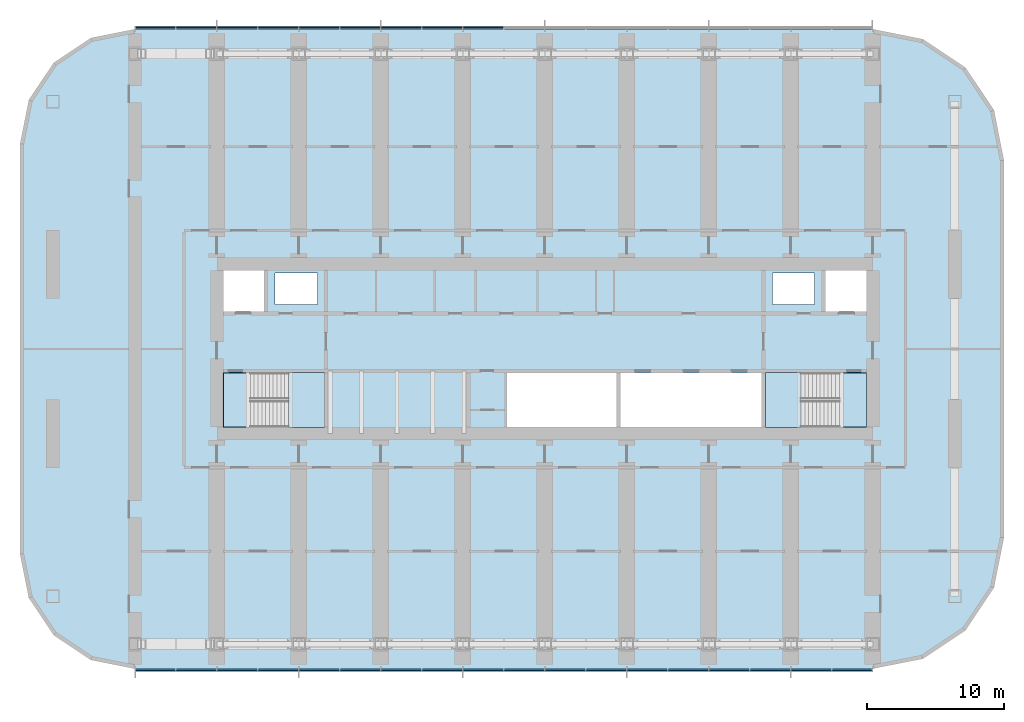
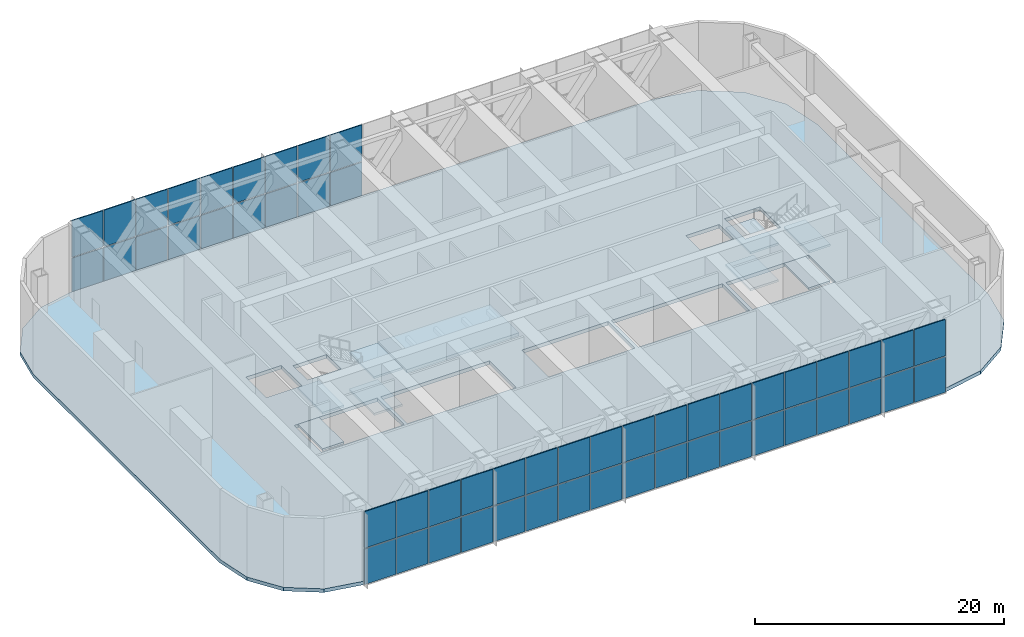
# One storey, part 6 of 22: 54 plates, 10 slabs, 4 elements without a shape of their own.
"""IFC4 building model written with IfcOpenShell, lengths in metres."""

from ifc_helpers import new_model, si_unit, direction, frame, origin, origin_2d, place, context, subcontext, project, spatial, polyline, rectangle, outline, extrude, material, layer, layer_set, type_object, element, aggregate, save


model = new_model("IFC4")

# Units and contexts
model_context = context("Model", 3, precision=1e-05, world=origin(), true_north=direction((0.0, 1.0)))
body_context = subcontext(model_context, "Body", "Model", "MODEL_VIEW")
ifc_project = project(units=[si_unit("LENGTHUNIT", "METRE"), si_unit("AREAUNIT", "SQUARE_METRE"), si_unit("VOLUMEUNIT", "CUBIC_METRE"), si_unit("PLANEANGLEUNIT", "RADIAN"), si_unit("MASSUNIT", "GRAM", prefix="KILO")], contexts=[model_context])

# Site, building, storey
site_placement = place(None, origin())
site = spatial("IfcSite", under=ifc_project, at=site_placement, CompositionType="ELEMENT")
building_placement = place(site_placement, origin())
building = spatial("IfcBuilding", under=site, at=building_placement, Name="Orbita Commons", CompositionType="ELEMENT")
storey_placement = place(building_placement, frame((0.0, 0.0, 133.14990234375)))
storey = spatial("IfcBuildingStorey", under=building, at=storey_placement, Name="L33", CompositionType="ELEMENT", Elevation=133.14990234375)

# Curtain wall, plates
ifc_material_1 = material(Name="Anodised aluminium frame, pale silver", Category="aluminium")
curtain_wall_type = type_object("IfcCurtainWallType", Name="Louvred curtain wall CW-V", PredefinedType="NOTDEFINED", material=ifc_material_1)
curtain_wall_1_placement = place(storey_placement, origin())
curtain_wall_1 = element("IfcCurtainWall", 1, at=curtain_wall_1_placement, inside=storey, type_object=curtain_wall_type, Name="Curtain wall south L33", PredefinedType="NOTDEFINED")
ifc_material_2 = material(Name="Anodised aluminium louvre", Category="aluminium")
ifc_layer_1 = layer(ifc_material_2, 0.10009765625)
ifc_layer_set_1 = layer_set([ifc_layer_1], Name="Anodised aluminium louvre")
plate_type = type_object("IfcPlateType", Name="Aluminium louvre panel 100", PredefinedType="CURTAIN_PANEL", material=ifc_layer_set_1)
plate_1_placement = place(storey_placement, frame((13.52001953125, 8.489990234375, -0.25), z_axis=(0.0, 0.0, 1.0), x_axis=(1.0, 0.0, 0.0)))
plate_1 = element("IfcPlate", 2, at=plate_1_placement, type_object=plate_type, Name="Panel 1.1 CW-L33-S", PredefinedType="CURTAIN_PANEL", context=body_context, shape_type="SweptSolid", body=[
    extrude(rectangle(XDim=2.8798828125, YDim=0.10009765625, at=origin_2d()), origin(), (0.0, 0.0, 1.0), 3.47509765625),
])
plate_2_placement = place(storey_placement, frame((13.52001953125, 8.489990234375, 3.3251953125), z_axis=(0.0, 0.0, 1.0), x_axis=(1.0, 0.0, 0.0)))
plate_2 = element("IfcPlate", 3, at=plate_2_placement, type_object=plate_type, Name="Panel 1.2 CW-L33-S", PredefinedType="CURTAIN_PANEL", context=body_context, shape_type="SweptSolid", body=[
    extrude(rectangle(XDim=2.8798828125, YDim=0.10009765625, at=origin_2d()), origin(), (0.0, 0.0, 1.0), 3.574951171875),
])
plate_3_placement = place(storey_placement, frame((16.5, 8.489990234375, -0.25), z_axis=(0.0, 0.0, 1.0), x_axis=(1.0, 0.0, 0.0)))
plate_3 = element("IfcPlate", 4, at=plate_3_placement, type_object=plate_type, Name="Panel 2.1 CW-L33-S", PredefinedType="CURTAIN_PANEL", context=body_context, shape_type="SweptSolid", body=[
    extrude(rectangle(XDim=2.919921875, YDim=0.10009765625, at=origin_2d()), origin(), (0.0, 0.0, 1.0), 3.47509765625),
])
plate_4_placement = place(storey_placement, frame((16.5, 8.489990234375, 3.3251953125), z_axis=(0.0, 0.0, 1.0), x_axis=(1.0, 0.0, 0.0)))
plate_4 = element("IfcPlate", 5, at=plate_4_placement, type_object=plate_type, Name="Panel 2.2 CW-L33-S", PredefinedType="CURTAIN_PANEL", context=body_context, shape_type="SweptSolid", body=[
    extrude(rectangle(XDim=2.919921875, YDim=0.10009765625, at=origin_2d()), origin(), (0.0, 0.0, 1.0), 3.574951171875),
])
plate_5_placement = place(storey_placement, frame((19.5, 8.489990234375, -0.25), z_axis=(0.0, 0.0, 1.0), x_axis=(1.0, 0.0, 0.0)))
plate_5 = element("IfcPlate", 6, at=plate_5_placement, type_object=plate_type, Name="Panel 3.1 CW-L33-S", PredefinedType="CURTAIN_PANEL", context=body_context, shape_type="SweptSolid", body=[
    extrude(rectangle(XDim=2.919921875, YDim=0.10009765625, at=origin_2d()), origin(), (0.0, 0.0, 1.0), 3.47509765625),
])
plate_6_placement = place(storey_placement, frame((19.5, 8.489990234375, 3.3251953125), z_axis=(0.0, 0.0, 1.0), x_axis=(1.0, 0.0, 0.0)))
plate_6 = element("IfcPlate", 7, at=plate_6_placement, type_object=plate_type, Name="Panel 3.2 CW-L33-S", PredefinedType="CURTAIN_PANEL", context=body_context, shape_type="SweptSolid", body=[
    extrude(rectangle(XDim=2.919921875, YDim=0.10009765625, at=origin_2d()), origin(), (0.0, 0.0, 1.0), 3.574951171875),
])
plate_7_placement = place(storey_placement, frame((22.5, 8.489990234375, -0.25), z_axis=(0.0, 0.0, 1.0), x_axis=(1.0, 0.0, 0.0)))
plate_7 = element("IfcPlate", 8, at=plate_7_placement, type_object=plate_type, Name="Panel 4.1 CW-L33-S", PredefinedType="CURTAIN_PANEL", context=body_context, shape_type="SweptSolid", body=[
    extrude(rectangle(XDim=2.919921875, YDim=0.10009765625, at=origin_2d()), origin(), (0.0, 0.0, 1.0), 3.47509765625),
])
plate_8_placement = place(storey_placement, frame((22.5, 8.489990234375, 3.3251953125), z_axis=(0.0, 0.0, 1.0), x_axis=(1.0, 0.0, 0.0)))
plate_8 = element("IfcPlate", 9, at=plate_8_placement, type_object=plate_type, Name="Panel 4.2 CW-L33-S", PredefinedType="CURTAIN_PANEL", context=body_context, shape_type="SweptSolid", body=[
    extrude(rectangle(XDim=2.919921875, YDim=0.10009765625, at=origin_2d()), origin(), (0.0, 0.0, 1.0), 3.574951171875),
])
plate_9_placement = place(storey_placement, frame((25.5, 8.489990234375, -0.25), z_axis=(0.0, 0.0, 1.0), x_axis=(1.0, 0.0, 0.0)))
plate_9 = element("IfcPlate", 10, at=plate_9_placement, type_object=plate_type, Name="Panel 5.1 CW-L33-S", PredefinedType="CURTAIN_PANEL", context=body_context, shape_type="SweptSolid", body=[
    extrude(rectangle(XDim=2.919921875, YDim=0.10009765625, at=origin_2d()), origin(), (0.0, 0.0, 1.0), 3.47509765625),
])
plate_10_placement = place(storey_placement, frame((25.5, 8.489990234375, 3.3251953125), z_axis=(0.0, 0.0, 1.0), x_axis=(1.0, 0.0, 0.0)))
plate_10 = element("IfcPlate", 11, at=plate_10_placement, type_object=plate_type, Name="Panel 5.2 CW-L33-S", PredefinedType="CURTAIN_PANEL", context=body_context, shape_type="SweptSolid", body=[
    extrude(rectangle(XDim=2.919921875, YDim=0.10009765625, at=origin_2d()), origin(), (0.0, 0.0, 1.0), 3.574951171875),
])
plate_11_placement = place(storey_placement, frame((28.5, 8.489990234375, -0.25), z_axis=(0.0, 0.0, 1.0), x_axis=(1.0, 0.0, 0.0)))
plate_11 = element("IfcPlate", 12, at=plate_11_placement, type_object=plate_type, Name="Panel 6.1 CW-L33-S", PredefinedType="CURTAIN_PANEL", context=body_context, shape_type="SweptSolid", body=[
    extrude(rectangle(XDim=2.919921875, YDim=0.10009765625, at=origin_2d()), origin(), (0.0, 0.0, 1.0), 3.47509765625),
])
plate_12_placement = place(storey_placement, frame((28.5, 8.489990234375, 3.3251953125), z_axis=(0.0, 0.0, 1.0), x_axis=(1.0, 0.0, 0.0)))
plate_12 = element("IfcPlate", 13, at=plate_12_placement, type_object=plate_type, Name="Panel 6.2 CW-L33-S", PredefinedType="CURTAIN_PANEL", context=body_context, shape_type="SweptSolid", body=[
    extrude(rectangle(XDim=2.919921875, YDim=0.10009765625, at=origin_2d()), origin(), (0.0, 0.0, 1.0), 3.574951171875),
])
plate_13_placement = place(storey_placement, frame((31.5, 8.489990234375, -0.25), z_axis=(0.0, 0.0, 1.0), x_axis=(1.0, 0.0, 0.0)))
plate_13 = element("IfcPlate", 14, at=plate_13_placement, type_object=plate_type, Name="Panel 7.1 CW-L33-S", PredefinedType="CURTAIN_PANEL", context=body_context, shape_type="SweptSolid", body=[
    extrude(rectangle(XDim=2.919921875, YDim=0.10009765625, at=origin_2d()), origin(), (0.0, 0.0, 1.0), 3.47509765625),
])
plate_14_placement = place(storey_placement, frame((31.5, 8.489990234375, 3.3251953125), z_axis=(0.0, 0.0, 1.0), x_axis=(1.0, 0.0, 0.0)))
plate_14 = element("IfcPlate", 15, at=plate_14_placement, type_object=plate_type, Name="Panel 7.2 CW-L33-S", PredefinedType="CURTAIN_PANEL", context=body_context, shape_type="SweptSolid", body=[
    extrude(rectangle(XDim=2.919921875, YDim=0.10009765625, at=origin_2d()), origin(), (0.0, 0.0, 1.0), 3.574951171875),
])
plate_15_placement = place(storey_placement, frame((34.5, 8.489990234375, -0.25), z_axis=(0.0, 0.0, 1.0), x_axis=(1.0, 0.0, 0.0)))
plate_15 = element("IfcPlate", 16, at=plate_15_placement, type_object=plate_type, Name="Panel 8.1 CW-L33-S", PredefinedType="CURTAIN_PANEL", context=body_context, shape_type="SweptSolid", body=[
    extrude(rectangle(XDim=2.919921875, YDim=0.10009765625, at=origin_2d()), origin(), (0.0, 0.0, 1.0), 3.47509765625),
])
plate_16_placement = place(storey_placement, frame((34.5, 8.489990234375, 3.3251953125), z_axis=(0.0, 0.0, 1.0), x_axis=(1.0, 0.0, 0.0)))
plate_16 = element("IfcPlate", 17, at=plate_16_placement, type_object=plate_type, Name="Panel 8.2 CW-L33-S", PredefinedType="CURTAIN_PANEL", context=body_context, shape_type="SweptSolid", body=[
    extrude(rectangle(XDim=2.919921875, YDim=0.10009765625, at=origin_2d()), origin(), (0.0, 0.0, 1.0), 3.574951171875),
])
plate_17_placement = place(storey_placement, frame((37.5, 8.489990234375, -0.25), z_axis=(0.0, 0.0, 1.0), x_axis=(1.0, 0.0, 0.0)))
plate_17 = element("IfcPlate", 18, at=plate_17_placement, type_object=plate_type, Name="Panel 9.1 CW-L33-S", PredefinedType="CURTAIN_PANEL", context=body_context, shape_type="SweptSolid", body=[
    extrude(rectangle(XDim=2.919921875, YDim=0.10009765625, at=origin_2d()), origin(), (0.0, 0.0, 1.0), 3.47509765625),
])
plate_18_placement = place(storey_placement, frame((37.5, 8.489990234375, 3.3251953125), z_axis=(0.0, 0.0, 1.0), x_axis=(1.0, 0.0, 0.0)))
plate_18 = element("IfcPlate", 19, at=plate_18_placement, type_object=plate_type, Name="Panel 9.2 CW-L33-S", PredefinedType="CURTAIN_PANEL", context=body_context, shape_type="SweptSolid", body=[
    extrude(rectangle(XDim=2.919921875, YDim=0.10009765625, at=origin_2d()), origin(), (0.0, 0.0, 1.0), 3.574951171875),
])
plate_19_placement = place(storey_placement, frame((40.5, 8.489990234375, -0.25), z_axis=(0.0, 0.0, 1.0), x_axis=(1.0, 0.0, 0.0)))
plate_19 = element("IfcPlate", 20, at=plate_19_placement, type_object=plate_type, Name="Panel 10.1 CW-L33-S", PredefinedType="CURTAIN_PANEL", context=body_context, shape_type="SweptSolid", body=[
    extrude(rectangle(XDim=2.919921875, YDim=0.10009765625, at=origin_2d()), origin(), (0.0, 0.0, 1.0), 3.47509765625),
])
plate_20_placement = place(storey_placement, frame((40.5, 8.489990234375, 3.3251953125), z_axis=(0.0, 0.0, 1.0), x_axis=(1.0, 0.0, 0.0)))
plate_20 = element("IfcPlate", 21, at=plate_20_placement, type_object=plate_type, Name="Panel 10.2 CW-L33-S", PredefinedType="CURTAIN_PANEL", context=body_context, shape_type="SweptSolid", body=[
    extrude(rectangle(XDim=2.919921875, YDim=0.10009765625, at=origin_2d()), origin(), (0.0, 0.0, 1.0), 3.574951171875),
])
plate_21_placement = place(storey_placement, frame((43.5, 8.489990234375, -0.25), z_axis=(0.0, 0.0, 1.0), x_axis=(1.0, 0.0, 0.0)))
plate_21 = element("IfcPlate", 22, at=plate_21_placement, type_object=plate_type, Name="Panel 11.1 CW-L33-S", PredefinedType="CURTAIN_PANEL", context=body_context, shape_type="SweptSolid", body=[
    extrude(rectangle(XDim=2.919921875, YDim=0.10009765625, at=origin_2d()), origin(), (0.0, 0.0, 1.0), 3.47509765625),
])
plate_22_placement = place(storey_placement, frame((43.5, 8.489990234375, 3.3251953125), z_axis=(0.0, 0.0, 1.0), x_axis=(1.0, 0.0, 0.0)))
plate_22 = element("IfcPlate", 23, at=plate_22_placement, type_object=plate_type, Name="Panel 11.2 CW-L33-S", PredefinedType="CURTAIN_PANEL", context=body_context, shape_type="SweptSolid", body=[
    extrude(rectangle(XDim=2.919921875, YDim=0.10009765625, at=origin_2d()), origin(), (0.0, 0.0, 1.0), 3.574951171875),
])
plate_23_placement = place(storey_placement, frame((46.5, 8.489990234375, -0.25), z_axis=(0.0, 0.0, 1.0), x_axis=(1.0, 0.0, 0.0)))
plate_23 = element("IfcPlate", 24, at=plate_23_placement, type_object=plate_type, Name="Panel 12.1 CW-L33-S", PredefinedType="CURTAIN_PANEL", context=body_context, shape_type="SweptSolid", body=[
    extrude(rectangle(XDim=2.919921875, YDim=0.10009765625, at=origin_2d()), origin(), (0.0, 0.0, 1.0), 3.47509765625),
])
plate_24_placement = place(storey_placement, frame((46.5, 8.489990234375, 3.3251953125), z_axis=(0.0, 0.0, 1.0), x_axis=(1.0, 0.0, 0.0)))
plate_24 = element("IfcPlate", 25, at=plate_24_placement, type_object=plate_type, Name="Panel 12.2 CW-L33-S", PredefinedType="CURTAIN_PANEL", context=body_context, shape_type="SweptSolid", body=[
    extrude(rectangle(XDim=2.919921875, YDim=0.10009765625, at=origin_2d()), origin(), (0.0, 0.0, 1.0), 3.574951171875),
])
plate_25_placement = place(storey_placement, frame((49.5, 8.489990234375, -0.25), z_axis=(0.0, 0.0, 1.0), x_axis=(1.0, 0.0, 0.0)))
plate_25 = element("IfcPlate", 26, at=plate_25_placement, type_object=plate_type, Name="Panel 13.1 CW-L33-S", PredefinedType="CURTAIN_PANEL", context=body_context, shape_type="SweptSolid", body=[
    extrude(rectangle(XDim=2.919921875, YDim=0.10009765625, at=origin_2d()), origin(), (0.0, 0.0, 1.0), 3.47509765625),
])
plate_26_placement = place(storey_placement, frame((49.5, 8.489990234375, 3.3251953125), z_axis=(0.0, 0.0, 1.0), x_axis=(1.0, 0.0, 0.0)))
plate_26 = element("IfcPlate", 27, at=plate_26_placement, type_object=plate_type, Name="Panel 13.2 CW-L33-S", PredefinedType="CURTAIN_PANEL", context=body_context, shape_type="SweptSolid", body=[
    extrude(rectangle(XDim=2.919921875, YDim=0.10009765625, at=origin_2d()), origin(), (0.0, 0.0, 1.0), 3.574951171875),
])
plate_27_placement = place(storey_placement, frame((52.5, 8.489990234375, -0.25), z_axis=(0.0, 0.0, 1.0), x_axis=(1.0, 0.0, 0.0)))
plate_27 = element("IfcPlate", 28, at=plate_27_placement, type_object=plate_type, Name="Panel 14.1 CW-L33-S", PredefinedType="CURTAIN_PANEL", context=body_context, shape_type="SweptSolid", body=[
    extrude(rectangle(XDim=2.919921875, YDim=0.10009765625, at=origin_2d()), origin(), (0.0, 0.0, 1.0), 3.47509765625),
])
plate_28_placement = place(storey_placement, frame((52.5, 8.489990234375, 3.3251953125), z_axis=(0.0, 0.0, 1.0), x_axis=(1.0, 0.0, 0.0)))
plate_28 = element("IfcPlate", 29, at=plate_28_placement, type_object=plate_type, Name="Panel 14.2 CW-L33-S", PredefinedType="CURTAIN_PANEL", context=body_context, shape_type="SweptSolid", body=[
    extrude(rectangle(XDim=2.919921875, YDim=0.10009765625, at=origin_2d()), origin(), (0.0, 0.0, 1.0), 3.574951171875),
])
plate_29_placement = place(storey_placement, frame((55.5, 8.489990234375, -0.25), z_axis=(0.0, 0.0, 1.0), x_axis=(1.0, 0.0, 0.0)))
plate_29 = element("IfcPlate", 30, at=plate_29_placement, type_object=plate_type, Name="Panel 15.1 CW-L33-S", PredefinedType="CURTAIN_PANEL", context=body_context, shape_type="SweptSolid", body=[
    extrude(rectangle(XDim=2.919921875, YDim=0.10009765625, at=origin_2d()), origin(), (0.0, 0.0, 1.0), 3.47509765625),
])
plate_30_placement = place(storey_placement, frame((55.5, 8.489990234375, 3.3251953125), z_axis=(0.0, 0.0, 1.0), x_axis=(1.0, 0.0, 0.0)))
plate_30 = element("IfcPlate", 31, at=plate_30_placement, type_object=plate_type, Name="Panel 15.2 CW-L33-S", PredefinedType="CURTAIN_PANEL", context=body_context, shape_type="SweptSolid", body=[
    extrude(rectangle(XDim=2.919921875, YDim=0.10009765625, at=origin_2d()), origin(), (0.0, 0.0, 1.0), 3.574951171875),
])
plate_31_placement = place(storey_placement, frame((58.5, 8.489990234375, -0.25), z_axis=(0.0, 0.0, 1.0), x_axis=(1.0, 0.0, 0.0)))
plate_31 = element("IfcPlate", 32, at=plate_31_placement, type_object=plate_type, Name="Panel 16.1 CW-L33-S", PredefinedType="CURTAIN_PANEL", context=body_context, shape_type="SweptSolid", body=[
    extrude(rectangle(XDim=2.919921875, YDim=0.10009765625, at=origin_2d()), origin(), (0.0, 0.0, 1.0), 3.47509765625),
])
plate_32_placement = place(storey_placement, frame((58.5, 8.489990234375, 3.3251953125), z_axis=(0.0, 0.0, 1.0), x_axis=(1.0, 0.0, 0.0)))
plate_32 = element("IfcPlate", 33, at=plate_32_placement, type_object=plate_type, Name="Panel 16.2 CW-L33-S", PredefinedType="CURTAIN_PANEL", context=body_context, shape_type="SweptSolid", body=[
    extrude(rectangle(XDim=2.919921875, YDim=0.10009765625, at=origin_2d()), origin(), (0.0, 0.0, 1.0), 3.574951171875),
])
plate_33_placement = place(storey_placement, frame((61.5, 8.489990234375, -0.25), z_axis=(0.0, 0.0, 1.0), x_axis=(1.0, 0.0, 0.0)))
plate_33 = element("IfcPlate", 34, at=plate_33_placement, type_object=plate_type, Name="Panel 17.1 CW-L33-S", PredefinedType="CURTAIN_PANEL", context=body_context, shape_type="SweptSolid", body=[
    extrude(rectangle(XDim=2.919921875, YDim=0.10009765625, at=origin_2d()), origin(), (0.0, 0.0, 1.0), 3.47509765625),
])
plate_34_placement = place(storey_placement, frame((61.5, 8.489990234375, 3.3251953125), z_axis=(0.0, 0.0, 1.0), x_axis=(1.0, 0.0, 0.0)))
plate_34 = element("IfcPlate", 35, at=plate_34_placement, type_object=plate_type, Name="Panel 17.2 CW-L33-S", PredefinedType="CURTAIN_PANEL", context=body_context, shape_type="SweptSolid", body=[
    extrude(rectangle(XDim=2.919921875, YDim=0.10009765625, at=origin_2d()), origin(), (0.0, 0.0, 1.0), 3.574951171875),
])
plate_35_placement = place(storey_placement, frame((64.47998046875, 8.489990234375, -0.25), z_axis=(0.0, 0.0, 1.0), x_axis=(1.0, 0.0, 0.0)))
plate_35 = element("IfcPlate", 36, at=plate_35_placement, type_object=plate_type, Name="Panel 18.1 CW-L33-S", PredefinedType="CURTAIN_PANEL", context=body_context, shape_type="SweptSolid", body=[
    extrude(rectangle(XDim=2.8798828125, YDim=0.10009765625, at=origin_2d()), origin(), (0.0, 0.0, 1.0), 3.47509765625),
])
plate_36_placement = place(storey_placement, frame((64.47998046875, 8.489990234375, 3.3251953125), z_axis=(0.0, 0.0, 1.0), x_axis=(1.0, 0.0, 0.0)))
plate_36 = element("IfcPlate", 37, at=plate_36_placement, type_object=plate_type, Name="Panel 18.2 CW-L33-S", PredefinedType="CURTAIN_PANEL", context=body_context, shape_type="SweptSolid", body=[
    extrude(rectangle(XDim=2.8798828125, YDim=0.10009765625, at=origin_2d()), origin(), (0.0, 0.0, 1.0), 3.574951171875),
])
aggregate(curtain_wall_1, [plate_1, plate_2, plate_3, plate_4, plate_5, plate_6, plate_7, plate_8, plate_9, plate_10, plate_11, plate_12, plate_13, plate_14, plate_15, plate_16, plate_17, plate_18, plate_19, plate_20, plate_21, plate_22, plate_23, plate_24, plate_25, plate_26, plate_27, plate_28, plate_29, plate_30, plate_31, plate_32, plate_33, plate_34, plate_35, plate_36])

curtain_wall_2_placement = place(storey_placement, origin())
curtain_wall_2 = element("IfcCurtainWall", 38, at=curtain_wall_2_placement, inside=storey, type_object=curtain_wall_type, Name="Curtain wall north L33", PredefinedType="NOTDEFINED")
plate_37_placement = place(storey_placement, frame((37.5, 55.510009765625, -0.25), z_axis=(0.0, 0.0, 1.0), x_axis=(-1.0, 0.0, 0.0)))
plate_37 = element("IfcPlate", 39, at=plate_37_placement, type_object=plate_type, Name="Panel 10.1 CW-L33-N", PredefinedType="CURTAIN_PANEL", context=body_context, shape_type="SweptSolid", body=[
    extrude(rectangle(XDim=2.919921875, YDim=0.10009765625, at=origin_2d()), origin(), (0.0, 0.0, 1.0), 3.47509765625),
])
plate_38_placement = place(storey_placement, frame((37.5, 55.510009765625, 3.3251953125), z_axis=(0.0, 0.0, 1.0), x_axis=(-1.0, 0.0, 0.0)))
plate_38 = element("IfcPlate", 40, at=plate_38_placement, type_object=plate_type, Name="Panel 10.2 CW-L33-N", PredefinedType="CURTAIN_PANEL", context=body_context, shape_type="SweptSolid", body=[
    extrude(rectangle(XDim=2.919921875, YDim=0.10009765625, at=origin_2d()), origin(), (0.0, 0.0, 1.0), 3.574951171875),
])
plate_39_placement = place(storey_placement, frame((34.5, 55.510009765625, -0.25), z_axis=(0.0, 0.0, 1.0), x_axis=(-1.0, 0.0, 0.0)))
plate_39 = element("IfcPlate", 41, at=plate_39_placement, type_object=plate_type, Name="Panel 11.1 CW-L33-N", PredefinedType="CURTAIN_PANEL", context=body_context, shape_type="SweptSolid", body=[
    extrude(rectangle(XDim=2.919921875, YDim=0.10009765625, at=origin_2d()), origin(), (0.0, 0.0, 1.0), 3.47509765625),
])
plate_40_placement = place(storey_placement, frame((34.5, 55.510009765625, 3.3251953125), z_axis=(0.0, 0.0, 1.0), x_axis=(-1.0, 0.0, 0.0)))
plate_40 = element("IfcPlate", 42, at=plate_40_placement, type_object=plate_type, Name="Panel 11.2 CW-L33-N", PredefinedType="CURTAIN_PANEL", context=body_context, shape_type="SweptSolid", body=[
    extrude(rectangle(XDim=2.919921875, YDim=0.10009765625, at=origin_2d()), origin(), (0.0, 0.0, 1.0), 3.574951171875),
])
plate_41_placement = place(storey_placement, frame((31.5, 55.510009765625, -0.25), z_axis=(0.0, 0.0, 1.0), x_axis=(-1.0, 0.0, 0.0)))
plate_41 = element("IfcPlate", 43, at=plate_41_placement, type_object=plate_type, Name="Panel 12.1 CW-L33-N", PredefinedType="CURTAIN_PANEL", context=body_context, shape_type="SweptSolid", body=[
    extrude(rectangle(XDim=2.919921875, YDim=0.10009765625, at=origin_2d()), origin(), (0.0, 0.0, 1.0), 3.47509765625),
])
plate_42_placement = place(storey_placement, frame((31.5, 55.510009765625, 3.3251953125), z_axis=(0.0, 0.0, 1.0), x_axis=(-1.0, 0.0, 0.0)))
plate_42 = element("IfcPlate", 44, at=plate_42_placement, type_object=plate_type, Name="Panel 12.2 CW-L33-N", PredefinedType="CURTAIN_PANEL", context=body_context, shape_type="SweptSolid", body=[
    extrude(rectangle(XDim=2.919921875, YDim=0.10009765625, at=origin_2d()), origin(), (0.0, 0.0, 1.0), 3.574951171875),
])
plate_43_placement = place(storey_placement, frame((28.5, 55.510009765625, -0.25), z_axis=(0.0, 0.0, 1.0), x_axis=(-1.0, 0.0, 0.0)))
plate_43 = element("IfcPlate", 45, at=plate_43_placement, type_object=plate_type, Name="Panel 13.1 CW-L33-N", PredefinedType="CURTAIN_PANEL", context=body_context, shape_type="SweptSolid", body=[
    extrude(rectangle(XDim=2.919921875, YDim=0.10009765625, at=origin_2d()), origin(), (0.0, 0.0, 1.0), 3.47509765625),
])
plate_44_placement = place(storey_placement, frame((28.5, 55.510009765625, 3.3251953125), z_axis=(0.0, 0.0, 1.0), x_axis=(-1.0, 0.0, 0.0)))
plate_44 = element("IfcPlate", 46, at=plate_44_placement, type_object=plate_type, Name="Panel 13.2 CW-L33-N", PredefinedType="CURTAIN_PANEL", context=body_context, shape_type="SweptSolid", body=[
    extrude(rectangle(XDim=2.919921875, YDim=0.10009765625, at=origin_2d()), origin(), (0.0, 0.0, 1.0), 3.574951171875),
])
plate_45_placement = place(storey_placement, frame((25.5, 55.510009765625, -0.25), z_axis=(0.0, 0.0, 1.0), x_axis=(-1.0, 0.0, 0.0)))
plate_45 = element("IfcPlate", 47, at=plate_45_placement, type_object=plate_type, Name="Panel 14.1 CW-L33-N", PredefinedType="CURTAIN_PANEL", context=body_context, shape_type="SweptSolid", body=[
    extrude(rectangle(XDim=2.919921875, YDim=0.10009765625, at=origin_2d()), origin(), (0.0, 0.0, 1.0), 3.47509765625),
])
plate_46_placement = place(storey_placement, frame((25.5, 55.510009765625, 3.3251953125), z_axis=(0.0, 0.0, 1.0), x_axis=(-1.0, 0.0, 0.0)))
plate_46 = element("IfcPlate", 48, at=plate_46_placement, type_object=plate_type, Name="Panel 14.2 CW-L33-N", PredefinedType="CURTAIN_PANEL", context=body_context, shape_type="SweptSolid", body=[
    extrude(rectangle(XDim=2.919921875, YDim=0.10009765625, at=origin_2d()), origin(), (0.0, 0.0, 1.0), 3.574951171875),
])
plate_47_placement = place(storey_placement, frame((22.5, 55.510009765625, -0.25), z_axis=(0.0, 0.0, 1.0), x_axis=(-1.0, 0.0, 0.0)))
plate_47 = element("IfcPlate", 49, at=plate_47_placement, type_object=plate_type, Name="Panel 15.1 CW-L33-N", PredefinedType="CURTAIN_PANEL", context=body_context, shape_type="SweptSolid", body=[
    extrude(rectangle(XDim=2.919921875, YDim=0.10009765625, at=origin_2d()), origin(), (0.0, 0.0, 1.0), 3.47509765625),
])
plate_48_placement = place(storey_placement, frame((22.5, 55.510009765625, 3.3251953125), z_axis=(0.0, 0.0, 1.0), x_axis=(-1.0, 0.0, 0.0)))
plate_48 = element("IfcPlate", 50, at=plate_48_placement, type_object=plate_type, Name="Panel 15.2 CW-L33-N", PredefinedType="CURTAIN_PANEL", context=body_context, shape_type="SweptSolid", body=[
    extrude(rectangle(XDim=2.919921875, YDim=0.10009765625, at=origin_2d()), origin(), (0.0, 0.0, 1.0), 3.574951171875),
])
plate_49_placement = place(storey_placement, frame((19.5, 55.510009765625, -0.25), z_axis=(0.0, 0.0, 1.0), x_axis=(-1.0, 0.0, 0.0)))
plate_49 = element("IfcPlate", 51, at=plate_49_placement, type_object=plate_type, Name="Panel 16.1 CW-L33-N", PredefinedType="CURTAIN_PANEL", context=body_context, shape_type="SweptSolid", body=[
    extrude(rectangle(XDim=2.919921875, YDim=0.10009765625, at=origin_2d()), origin(), (0.0, 0.0, 1.0), 3.47509765625),
])
plate_50_placement = place(storey_placement, frame((19.5, 55.510009765625, 3.3251953125), z_axis=(0.0, 0.0, 1.0), x_axis=(-1.0, 0.0, 0.0)))
plate_50 = element("IfcPlate", 52, at=plate_50_placement, type_object=plate_type, Name="Panel 16.2 CW-L33-N", PredefinedType="CURTAIN_PANEL", context=body_context, shape_type="SweptSolid", body=[
    extrude(rectangle(XDim=2.919921875, YDim=0.10009765625, at=origin_2d()), origin(), (0.0, 0.0, 1.0), 3.574951171875),
])
plate_51_placement = place(storey_placement, frame((16.5, 55.510009765625, -0.25), z_axis=(0.0, 0.0, 1.0), x_axis=(-1.0, 0.0, 0.0)))
plate_51 = element("IfcPlate", 53, at=plate_51_placement, type_object=plate_type, Name="Panel 17.1 CW-L33-N", PredefinedType="CURTAIN_PANEL", context=body_context, shape_type="SweptSolid", body=[
    extrude(rectangle(XDim=2.919921875, YDim=0.10009765625, at=origin_2d()), origin(), (0.0, 0.0, 1.0), 3.47509765625),
])
plate_52_placement = place(storey_placement, frame((16.5, 55.510009765625, 3.3251953125), z_axis=(0.0, 0.0, 1.0), x_axis=(-1.0, 0.0, 0.0)))
plate_52 = element("IfcPlate", 54, at=plate_52_placement, type_object=plate_type, Name="Panel 17.2 CW-L33-N", PredefinedType="CURTAIN_PANEL", context=body_context, shape_type="SweptSolid", body=[
    extrude(rectangle(XDim=2.919921875, YDim=0.10009765625, at=origin_2d()), origin(), (0.0, 0.0, 1.0), 3.574951171875),
])
plate_53_placement = place(storey_placement, frame((13.52001953125, 55.510009765625, -0.25), z_axis=(0.0, 0.0, 1.0), x_axis=(-1.0, 0.0, 0.0)))
plate_53 = element("IfcPlate", 55, at=plate_53_placement, type_object=plate_type, Name="Panel 18.1 CW-L33-N", PredefinedType="CURTAIN_PANEL", context=body_context, shape_type="SweptSolid", body=[
    extrude(rectangle(XDim=2.8798828125, YDim=0.10009765625, at=origin_2d()), origin(), (0.0, 0.0, 1.0), 3.47509765625),
])
plate_54_placement = place(storey_placement, frame((13.52001953125, 55.510009765625, 3.3251953125), z_axis=(0.0, 0.0, 1.0), x_axis=(-1.0, 0.0, 0.0)))
plate_54 = element("IfcPlate", 56, at=plate_54_placement, type_object=plate_type, Name="Panel 18.2 CW-L33-N", PredefinedType="CURTAIN_PANEL", context=body_context, shape_type="SweptSolid", body=[
    extrude(rectangle(XDim=2.8798828125, YDim=0.10009765625, at=origin_2d()), origin(), (0.0, 0.0, 1.0), 3.574951171875),
])
aggregate(curtain_wall_2, [plate_37, plate_38, plate_39, plate_40, plate_41, plate_42, plate_43, plate_44, plate_45, plate_46, plate_47, plate_48, plate_49, plate_50, plate_51, plate_52, plate_53, plate_54])

# Slabs
ifc_material_3 = material(Name="Concrete C40/50", Category="concrete")
ifc_layer_2 = layer(ifc_material_3, 0.35009765625)
ifc_layer_set_2 = layer_set([ifc_layer_2], Name="Concrete C40/50")
slab_type_1 = type_object("IfcSlabType", Name="Floor slab 350", PredefinedType="FLOOR", material=ifc_layer_set_2)
slab_1_placement = place(storey_placement, frame((0.0, 0.0, -0.349853515625)))
element("IfcSlab", 57, at=slab_1_placement, inside=storey, type_object=slab_type_1, Name="Floor slab L33", PredefinedType="FLOOR", context=body_context, shape_type="SweptSolid", body=[
    extrude(outline(polyline([(66.0, 8.60009765625), (69.673828125, 9.330810546875), (72.788330078125, 11.411865234375), (74.869140625, 14.526123046875), (75.60009765625, 18.199951171875), (75.60009765625, 45.800048828125), (74.869140625, 49.473876953125), (72.788330078125, 52.588134765625), (69.673828125, 54.669189453125), (66.0, 55.39990234375), (12.0, 55.39990234375), (8.785400390625, 54.760498046875), (6.060302734375, 52.939697265625), (4.239501953125, 50.214599609375), (3.60009765625, 47.0), (3.60009765625, 17.0), (4.239501953125, 13.785400390625), (6.060302734375, 11.060302734375), (8.785400390625, 9.239501953125), (12.0, 8.60009765625), (66.0, 8.60009765625)]), holes=[polyline([(18.14990234375, 25.949951171875), (25.85009765625, 25.949951171875), (25.85009765625, 30.25), (18.14990234375, 30.25), (18.14990234375, 25.949951171875)]), polyline([(58.14990234375, 25.949951171875), (65.85009765625, 25.949951171875), (65.85009765625, 30.25), (58.14990234375, 30.25), (58.14990234375, 25.949951171875)]), polyline([(18.14990234375, 34.75), (21.449951171875, 34.75), (21.449951171875, 38.050048828125), (18.14990234375, 38.050048828125), (18.14990234375, 34.75)]), polyline([(62.550048828125, 34.75), (65.85009765625, 34.75), (65.85009765625, 38.050048828125), (62.550048828125, 38.050048828125), (62.550048828125, 34.75)]), polyline([(22.25, 35.25), (25.35009765625, 35.25), (25.35009765625, 37.550048828125), (22.25, 37.550048828125), (22.25, 35.25)]), polyline([(58.64990234375, 35.25), (61.75, 35.25), (61.75, 37.550048828125), (58.64990234375, 37.550048828125), (58.64990234375, 35.25)]), polyline([(26.14990234375, 25.949951171875), (36.25, 25.949951171875), (36.25, 30.25), (26.14990234375, 30.25), (26.14990234375, 25.949951171875)]), polyline([(39.25, 25.949951171875), (47.25, 25.949951171875), (47.25, 30.25), (39.25, 30.25), (39.25, 25.949951171875)]), polyline([(47.550048828125, 25.949951171875), (57.85009765625, 25.949951171875), (57.85009765625, 30.25), (47.550048828125, 30.25), (47.550048828125, 25.949951171875)])]), origin(), (0.0, 0.0, 1.0), 0.349853515625),
])
ifc_material_4 = material(Name="Concrete C40/50", Category="concrete")
ifc_layer_3 = layer(ifc_material_4, 0.300048828125)
ifc_layer_set_3 = layer_set([ifc_layer_3], Name="Concrete C40/50")
slab_type_2 = type_object("IfcSlabType", Name="Lift pit slab 300", PredefinedType="FLOOR", material=ifc_layer_set_3)
slab_2_placement = place(storey_placement, frame((0.0, 0.0, 5.10009765625)))
element("IfcSlab", 58, at=slab_2_placement, inside=storey, type_object=slab_type_2, Name="Lift pit slab bank P3", PredefinedType="FLOOR", context=body_context, shape_type="SweptSolid", body=[
    extrude(outline(polyline([(26.0, 25.800048828125), (36.39990234375, 25.800048828125), (36.39990234375, 30.39990234375), (26.0, 30.39990234375), (26.0, 25.800048828125)])), origin(), (0.0, 0.0, 1.0), 0.300048828125),
])

# Stair, slabs
ifc_material_5 = material(Name="Precast concrete C40/50", Category="concrete")
stair_type_1 = type_object("IfcStairType", Name="Exit stair S1 4 flights 11 risers 164", PredefinedType="HALF_TURN_STAIR", material=ifc_material_5)
stair_1_placement = place(storey_placement, origin())
stair_1 = element("IfcStair", 59, at=stair_1_placement, inside=storey, type_object=stair_type_1, Name="Exit stair S1 L33", PredefinedType="HALF_TURN_STAIR")
ifc_material_6 = material(Name="Concrete C40/50", Category="concrete")
ifc_layer_4 = layer(ifc_material_6, 0.199951171875)
ifc_layer_set_4 = layer_set([ifc_layer_4], Name="Concrete C40/50")
slab_type_3 = type_object("IfcSlabType", Name="Stair landing 200", PredefinedType="LANDING", material=ifc_layer_set_4)
slab_3_placement = place(storey_placement, frame((0.0, 0.0, -0.199951171875)))
slab_3 = element("IfcSlab", 60, at=slab_3_placement, type_object=slab_type_3, Name="S1 landing 1", PredefinedType="LANDING", context=body_context, shape_type="SweptSolid", body=[
    extrude(outline(polyline([(18.47509765625, 26.27490234375), (20.449951171875, 26.27490234375), (20.449951171875, 30.25), (18.47509765625, 30.25), (18.47509765625, 26.27490234375)])), origin(), (0.0, 0.0, 1.0), 0.199951171875),
])
slab_4_placement = place(storey_placement, frame((0.0, 0.0, 1.60009765625)))
slab_4 = element("IfcSlab", 61, at=slab_4_placement, type_object=slab_type_3, Name="S1 landing 2", PredefinedType="LANDING", context=body_context, shape_type="SweptSolid", body=[
    extrude(outline(polyline([(23.25, 26.260009765625), (25.864990234375, 26.260009765625), (25.864990234375, 30.264892578125), (23.25, 30.264892578125), (23.25, 26.260009765625)])), origin(), (0.0, 0.0, 1.0), 0.199951171875),
])
slab_5_placement = place(storey_placement, frame((0.0, 0.0, 3.400146484375)))
slab_5 = element("IfcSlab", 62, at=slab_5_placement, type_object=slab_type_3, Name="S1 landing 3", PredefinedType="LANDING", context=body_context, shape_type="SweptSolid", body=[
    extrude(outline(polyline([(18.4599609375, 26.260009765625), (20.449951171875, 26.260009765625), (20.449951171875, 30.264892578125), (18.4599609375, 30.264892578125), (18.4599609375, 26.260009765625)])), origin(), (0.0, 0.0, 1.0), 0.199951171875),
])
slab_6_placement = place(storey_placement, frame((0.0, 0.0, 5.2001953125)))
slab_6 = element("IfcSlab", 63, at=slab_6_placement, type_object=slab_type_3, Name="S1 landing 4", PredefinedType="LANDING", context=body_context, shape_type="SweptSolid", body=[
    extrude(outline(polyline([(23.25, 26.260009765625), (25.864990234375, 26.260009765625), (25.864990234375, 30.264892578125), (23.25, 30.264892578125), (23.25, 26.260009765625)])), origin(), (0.0, 0.0, 1.0), 0.199951171875),
])
aggregate(stair_1, [slab_3, slab_4, slab_5, slab_6])

ifc_material_7 = material(Name="Precast concrete C40/50", Category="concrete")
stair_type_2 = type_object("IfcStairType", Name="Exit stair S2 4 flights 11 risers 164", PredefinedType="HALF_TURN_STAIR", material=ifc_material_7)
stair_2_placement = place(storey_placement, origin())
stair_2 = element("IfcStair", 64, at=stair_2_placement, inside=storey, type_object=stair_type_2, Name="Exit stair S2 L33", PredefinedType="HALF_TURN_STAIR")
slab_7_placement = place(storey_placement, frame((0.0, 0.0, -0.199951171875)))
slab_7 = element("IfcSlab", 65, at=slab_7_placement, type_object=slab_type_3, Name="S2 landing 1", PredefinedType="LANDING", context=body_context, shape_type="SweptSolid", body=[
    extrude(outline(polyline([(63.550048828125, 26.27490234375), (65.52490234375, 26.27490234375), (65.52490234375, 30.25), (63.550048828125, 30.25), (63.550048828125, 26.27490234375)])), origin(), (0.0, 0.0, 1.0), 0.199951171875),
])
slab_8_placement = place(storey_placement, frame((0.0, 0.0, 1.60009765625)))
slab_8 = element("IfcSlab", 66, at=slab_8_placement, type_object=slab_type_3, Name="S2 landing 2", PredefinedType="LANDING", context=body_context, shape_type="SweptSolid", body=[
    extrude(outline(polyline([(58.135009765625, 26.260009765625), (60.75, 26.260009765625), (60.75, 30.264892578125), (58.135009765625, 30.264892578125), (58.135009765625, 26.260009765625)])), origin(), (0.0, 0.0, 1.0), 0.199951171875),
])
slab_9_placement = place(storey_placement, frame((0.0, 0.0, 3.400146484375)))
slab_9 = element("IfcSlab", 67, at=slab_9_placement, type_object=slab_type_3, Name="S2 landing 3", PredefinedType="LANDING", context=body_context, shape_type="SweptSolid", body=[
    extrude(outline(polyline([(63.550048828125, 26.260009765625), (65.5400390625, 26.260009765625), (65.5400390625, 30.264892578125), (63.550048828125, 30.264892578125), (63.550048828125, 26.260009765625)])), origin(), (0.0, 0.0, 1.0), 0.199951171875),
])
slab_10_placement = place(storey_placement, frame((0.0, 0.0, 5.2001953125)))
slab_10 = element("IfcSlab", 68, at=slab_10_placement, type_object=slab_type_3, Name="S2 landing 4", PredefinedType="LANDING", context=body_context, shape_type="SweptSolid", body=[
    extrude(outline(polyline([(58.135009765625, 26.260009765625), (60.75, 26.260009765625), (60.75, 30.264892578125), (58.135009765625, 30.264892578125), (58.135009765625, 26.260009765625)])), origin(), (0.0, 0.0, 1.0), 0.199951171875),
])
aggregate(stair_2, [slab_7, slab_8, slab_9, slab_10])

save(model, "model.ifc")
